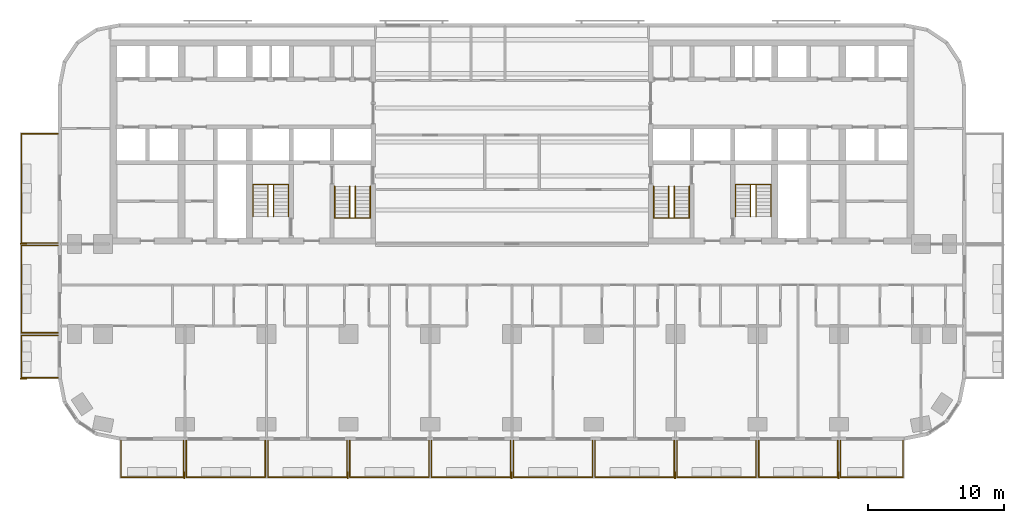
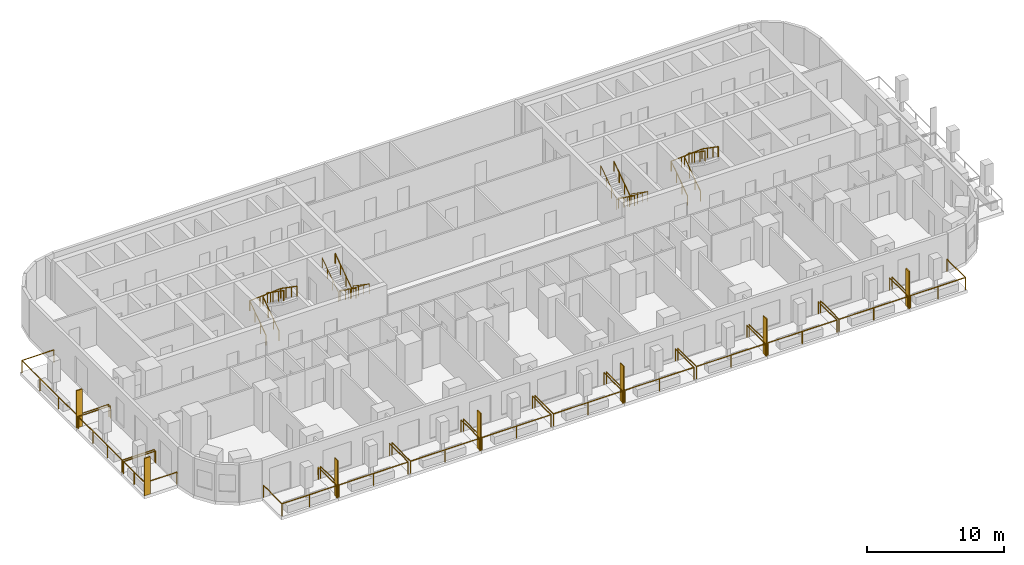
# One storey, part 13 of 15: 21 railings, 7 shading devices.
"""IFC4 building model written with IfcOpenShell, lengths in metres."""

from ifc_helpers import new_model, si_unit, direction, frame, origin, origin_2d, place, context, subcontext, project, spatial, rectangle, circle, extrude, material, layer, layer_set, type_object, element, save


model = new_model("IFC4")

# Units and contexts
model_context = context("Model", 3, precision=1e-05, world=origin(), true_north=direction((0.0, 1.0)))
body_context = subcontext(model_context, "Body", "Model", "MODEL_VIEW")
ifc_project = project(units=[si_unit("LENGTHUNIT", "METRE"), si_unit("AREAUNIT", "SQUARE_METRE"), si_unit("VOLUMEUNIT", "CUBIC_METRE"), si_unit("PLANEANGLEUNIT", "RADIAN"), si_unit("MASSUNIT", "GRAM", prefix="KILO")], contexts=[model_context])

# Site, building, storey
site_placement = place(None, origin())
site = spatial("IfcSite", under=ifc_project, at=site_placement, CompositionType="ELEMENT")
building_placement = place(site_placement, origin())
building = spatial("IfcBuilding", under=site, at=building_placement, Name="Torana Hotel and Residences", CompositionType="ELEMENT")
storey_placement = place(building_placement, frame((0.0, 0.0, 70.800048828125)))
storey = spatial("IfcBuildingStorey", under=building, at=storey_placement, Name="L17", CompositionType="ELEMENT", Elevation=70.800048828125)

# Shading devices
ifc_material_1 = material(Name="Black powder coated aluminium", Category="aluminium")
ifc_layer = layer(ifc_material_1, 0.080078125)
ifc_layer_set = layer_set([ifc_layer], Name="FN1 VERTICAL FIN 500x80")
shading_device_type = type_object("IfcShadingDeviceType", Name="FN1 VERTICAL FIN 500x80", PredefinedType="USERDEFINED", material=ifc_layer_set)
for number, where, z_axis, x_axis, name in (
    (1, (-24.0400390625, -31.949951171875, 0.0), (0.0, 0.0, 1.0), (-1.0, 0.0, 0.0), "Fin 01"),
    (2, (-12.0400390625, -31.949951171875, 0.0), (0.0, 0.0, 1.0), (-1.0, 0.0, 0.0), "Fin 03"),
    (3, (-0.0400390625, -31.949951171875, 0.0), (0.0, 0.0, 1.0), (-1.0, 0.0, 0.0), "Fin 05"),
    (4, (11.9599609375, -31.949951171875, 0.0), (0.0, 0.0, 1.0), (-1.0, 0.0, 0.0), "Fin 07"),
    (5, (23.9599609375, -31.949951171875, 0.0), (0.0, 0.0, 1.0), (-1.0, 0.0, 0.0), "Fin 09"),
    (6, (-35.85009765625, -24.860107421875, 0.0), (0.0, 0.0, 1.0), (0.0, 1.0, 0.0), "Fin 11"),
    (7, (-35.85009765625, -14.9599609375, 0.0), (0.0, 0.0, 1.0), (0.0, 1.0, 0.0), "Fin 13"),
):
    element("IfcShadingDevice", number, at=place(storey_placement, frame(where, z_axis=z_axis, x_axis=x_axis)), inside=storey, type_object=shading_device_type, Name=name, ObjectType="FIN", PredefinedType="USERDEFINED", context=body_context, shape_type="SweptSolid", body=[
        extrude(rectangle(XDim=0.080078125, YDim=0.5, at=origin_2d()), origin(), (0.0, 0.0, 1.0), 3.320068359375),
    ])

# Railings
ifc_material_2 = material(Name="Laminated glass balustrade with black handrail", Category="glass")
railing_type_1 = type_object("IfcRailingType", Name="GR1 BALCONY GUARD 1100 GLASS", PredefinedType="GUARDRAIL", material=ifc_material_2)
railing_1_placement = place(storey_placement, frame((-24.10009765625, -29.39990234375, 0.0)))
element("IfcRailing", 8, at=railing_1_placement, inside=storey, type_object=railing_type_1, Name="Balcony guard 01", PredefinedType="GUARDRAIL", context=body_context, shape_type="SweptSolid", body=[
    extrude(circle(Radius=0.02392578125, at=origin_2d()), frame((0.0, 0.0, 1.076171875), z_axis=(0.0, -1.0, 0.0), x_axis=(1.0, 0.0, 0.0)), (0.0, 0.0, 1.0), 2.7001953125),
    extrude(circle(Radius=0.02392578125, at=origin_2d()), frame((0.0, -2.7001953125, 1.076171875), z_axis=(-1.0, 0.0, 0.0), x_axis=(0.0, -1.0, 0.0)), (0.0, 0.0, 1.0), 4.599853515625),
    extrude(circle(Radius=0.02392578125, at=origin_2d()), frame((-4.599853515625, -2.7001953125, 1.076171875), z_axis=(0.0, 1.0, 0.0), x_axis=(-1.0, 0.0, 0.0)), (0.0, 0.0, 1.0), 2.7001953125),
    extrude(circle(Radius=0.02099609375, at=origin_2d()), origin(), (0.0, 0.0, 1.0), 1.052001953125),
    extrude(circle(Radius=0.02099609375, at=origin_2d()), frame((0.0, -2.7001953125, 0.0)), (0.0, 0.0, 1.0), 1.052001953125),
    extrude(circle(Radius=0.02099609375, at=origin_2d()), frame((-2.2998046875, -2.7001953125, 0.0)), (0.0, 0.0, 1.0), 1.052001953125),
    extrude(circle(Radius=0.02099609375, at=origin_2d()), frame((-4.599853515625, -2.7001953125, 0.0)), (0.0, 0.0, 1.0), 1.052001953125),
    extrude(circle(Radius=0.02099609375, at=origin_2d()), frame((-4.599853515625, 0.0, 0.0)), (0.0, 0.0, 1.0), 1.052001953125),
])
for number, where, name in (
    (9, (-18.10009765625, -29.39990234375, 0.0), "Balcony guard 02"),
    (10, (-12.10009765625, -29.39990234375, 0.0), "Balcony guard 03"),
    (11, (-6.10009765625, -29.39990234375, 0.0), "Balcony guard 04"),
    (12, (-0.10009765625, -29.39990234375, 0.0), "Balcony guard 05"),
    (13, (5.89990234375, -29.39990234375, 0.0), "Balcony guard 06"),
    (14, (11.89990234375, -29.39990234375, 0.0), "Balcony guard 07"),
    (15, (17.89990234375, -29.39990234375, 0.0), "Balcony guard 08"),
    (16, (23.89990234375, -29.39990234375, 0.0), "Balcony guard 09"),
):
    element("IfcRailing", number, at=place(storey_placement, frame(where)), inside=storey, type_object=railing_type_1, Name=name, PredefinedType="GUARDRAIL", context=body_context, shape_type="SweptSolid", body=[
        extrude(circle(Radius=0.02392578125, at=origin_2d()), frame((0.0, 0.0, 1.076171875), z_axis=(0.0, -1.0, 0.0), x_axis=(1.0, 0.0, 0.0)), (0.0, 0.0, 1.0), 2.7001953125),
        extrude(circle(Radius=0.02392578125, at=origin_2d()), frame((0.0, -2.7001953125, 1.076171875), z_axis=(-1.0, 0.0, 0.0), x_axis=(0.0, -1.0, 0.0)), (0.0, 0.0, 1.0), 5.7998046875),
        extrude(circle(Radius=0.02392578125, at=origin_2d()), frame((-5.7998046875, -2.7001953125, 1.076171875), z_axis=(0.0, 1.0, 0.0), x_axis=(-1.0, 0.0, 0.0)), (0.0, 0.0, 1.0), 2.7001953125),
        extrude(circle(Radius=0.02099609375, at=origin_2d()), origin(), (0.0, 0.0, 1.0), 1.052001953125),
        extrude(circle(Radius=0.02099609375, at=origin_2d()), frame((0.0, -2.7001953125, 0.0)), (0.0, 0.0, 1.0), 1.052001953125),
        extrude(circle(Radius=0.02099609375, at=origin_2d()), frame((-2.89990234375, -2.7001953125, 0.0)), (0.0, 0.0, 1.0), 1.052001953125),
        extrude(circle(Radius=0.02099609375, at=origin_2d()), frame((-5.7998046875, -2.7001953125, 0.0)), (0.0, 0.0, 1.0), 1.052001953125),
        extrude(circle(Radius=0.02099609375, at=origin_2d()), frame((-5.7998046875, 0.0, 0.0)), (0.0, 0.0, 1.0), 1.052001953125),
    ])
railing_2_placement = place(storey_placement, frame((28.699951171875, -29.39990234375, 0.0)))
element("IfcRailing", 17, at=railing_2_placement, inside=storey, type_object=railing_type_1, Name="Balcony guard 10", PredefinedType="GUARDRAIL", context=body_context, shape_type="SweptSolid", body=[
    extrude(circle(Radius=0.02392578125, at=origin_2d()), frame((0.0, 0.0, 1.076171875), z_axis=(0.0, -1.0, 0.0), x_axis=(1.0, 0.0, 0.0)), (0.0, 0.0, 1.0), 2.7001953125),
    extrude(circle(Radius=0.02392578125, at=origin_2d()), frame((0.0, -2.7001953125, 1.076171875), z_axis=(-1.0, 0.0, 0.0), x_axis=(0.0, -1.0, 0.0)), (0.0, 0.0, 1.0), 4.599853515625),
    extrude(circle(Radius=0.02392578125, at=origin_2d()), frame((-4.599853515625, -2.7001953125, 1.076171875), z_axis=(0.0, 1.0, 0.0), x_axis=(-1.0, 0.0, 0.0)), (0.0, 0.0, 1.0), 2.7001953125),
    extrude(circle(Radius=0.02099609375, at=origin_2d()), origin(), (0.0, 0.0, 1.0), 1.052001953125),
    extrude(circle(Radius=0.02099609375, at=origin_2d()), frame((0.0, -2.7001953125, 0.0)), (0.0, 0.0, 1.0), 1.052001953125),
    extrude(circle(Radius=0.02099609375, at=origin_2d()), frame((-2.2998046875, -2.7001953125, 0.0)), (0.0, 0.0, 1.0), 1.052001953125),
    extrude(circle(Radius=0.02099609375, at=origin_2d()), frame((-4.599853515625, -2.7001953125, 0.0)), (0.0, 0.0, 1.0), 1.052001953125),
    extrude(circle(Radius=0.02099609375, at=origin_2d()), frame((-4.599853515625, 0.0, 0.0)), (0.0, 0.0, 1.0), 1.052001953125),
])
railing_3_placement = place(storey_placement, frame((-33.300048828125, -24.800048828125, 0.0)))
element("IfcRailing", 18, at=railing_3_placement, inside=storey, type_object=railing_type_1, Name="Balcony guard 11", PredefinedType="GUARDRAIL", context=body_context, shape_type="SweptSolid", body=[
    extrude(circle(Radius=0.02392578125, at=origin_2d()), frame((0.0, 0.0, 1.076171875), z_axis=(-1.0, 0.0, 0.0), x_axis=(0.0, -1.0, 0.0)), (0.0, 0.0, 1.0), 2.699951171875),
    extrude(circle(Radius=0.02392578125, at=origin_2d()), frame((-2.699951171875, 0.0, 1.076171875), z_axis=(0.0, 1.0, 0.0), x_axis=(-1.0, 0.0, 0.0)), (0.0, 0.0, 1.0), 3.10009765625),
    extrude(circle(Radius=0.02392578125, at=origin_2d()), frame((-2.699951171875, 3.10009765625, 1.076171875), z_axis=(1.0, 0.0, 0.0), x_axis=(0.0, 1.0, 0.0)), (0.0, 0.0, 1.0), 2.699951171875),
    extrude(circle(Radius=0.02099609375, at=origin_2d()), origin(), (0.0, 0.0, 1.0), 1.052001953125),
    extrude(circle(Radius=0.02099609375, at=origin_2d()), frame((-2.699951171875, 0.0, 0.0)), (0.0, 0.0, 1.0), 1.052001953125),
    extrude(circle(Radius=0.02099609375, at=origin_2d()), frame((-2.699951171875, 1.550048828125, 0.0)), (0.0, 0.0, 1.0), 1.052001953125),
    extrude(circle(Radius=0.02099609375, at=origin_2d()), frame((-2.699951171875, 3.10009765625, 0.0)), (0.0, 0.0, 1.0), 1.052001953125),
    extrude(circle(Radius=0.02099609375, at=origin_2d()), frame((0.0, 3.10009765625, 0.0)), (0.0, 0.0, 1.0), 1.052001953125),
])
railing_4_placement = place(storey_placement, frame((-33.300048828125, -21.5, 0.0)))
element("IfcRailing", 19, at=railing_4_placement, inside=storey, type_object=railing_type_1, Name="Balcony guard 12", PredefinedType="GUARDRAIL", context=body_context, shape_type="SweptSolid", body=[
    extrude(circle(Radius=0.02392578125, at=origin_2d()), frame((0.0, 0.0, 1.076171875), z_axis=(-1.0, 0.0, 0.0), x_axis=(0.0, -1.0, 0.0)), (0.0, 0.0, 1.0), 2.699951171875),
    extrude(circle(Radius=0.02392578125, at=origin_2d()), frame((-2.699951171875, 0.0, 1.076171875), z_axis=(0.0, 1.0, 0.0), x_axis=(-1.0, 0.0, 0.0)), (0.0, 0.0, 1.0), 6.39990234375),
    extrude(circle(Radius=0.02392578125, at=origin_2d()), frame((-2.699951171875, 6.39990234375, 1.076171875), z_axis=(1.0, 0.0, 0.0), x_axis=(0.0, 1.0, 0.0)), (0.0, 0.0, 1.0), 2.699951171875),
    extrude(circle(Radius=0.02099609375, at=origin_2d()), origin(), (0.0, 0.0, 1.0), 1.052001953125),
    extrude(circle(Radius=0.02099609375, at=origin_2d()), frame((-2.699951171875, 0.0, 0.0)), (0.0, 0.0, 1.0), 1.052001953125),
    extrude(circle(Radius=0.02099609375, at=origin_2d()), frame((-2.699951171875, 2.13330078125, 0.0)), (0.0, 0.0, 1.0), 1.052001953125),
    extrude(circle(Radius=0.02099609375, at=origin_2d()), frame((-2.699951171875, 4.2666015625, 0.0)), (0.0, 0.0, 1.0), 1.052001953125),
    extrude(circle(Radius=0.02099609375, at=origin_2d()), frame((-2.699951171875, 6.39990234375, 0.0)), (0.0, 0.0, 1.0), 1.052001953125),
    extrude(circle(Radius=0.02099609375, at=origin_2d()), frame((0.0, 6.39990234375, 0.0)), (0.0, 0.0, 1.0), 1.052001953125),
])
railing_5_placement = place(storey_placement, frame((-33.300048828125, -14.89990234375, 0.0)))
element("IfcRailing", 20, at=railing_5_placement, inside=storey, type_object=railing_type_1, Name="Balcony guard 13", PredefinedType="GUARDRAIL", context=body_context, shape_type="SweptSolid", body=[
    extrude(circle(Radius=0.02392578125, at=origin_2d()), frame((0.0, 0.0, 1.076171875), z_axis=(-1.0, 0.0, 0.0), x_axis=(0.0, -1.0, 0.0)), (0.0, 0.0, 1.0), 2.699951171875),
    extrude(circle(Radius=0.02392578125, at=origin_2d()), frame((-2.699951171875, 0.0, 1.076171875), z_axis=(0.0, 1.0, 0.0), x_axis=(-1.0, 0.0, 0.0)), (0.0, 0.0, 1.0), 8.0),
    extrude(circle(Radius=0.02392578125, at=origin_2d()), frame((-2.699951171875, 8.0, 1.076171875), z_axis=(1.0, 0.0, 0.0), x_axis=(0.0, 1.0, 0.0)), (0.0, 0.0, 1.0), 2.699951171875),
    extrude(circle(Radius=0.02099609375, at=origin_2d()), origin(), (0.0, 0.0, 1.0), 1.052001953125),
    extrude(circle(Radius=0.02099609375, at=origin_2d()), frame((-2.699951171875, 0.0, 0.0)), (0.0, 0.0, 1.0), 1.052001953125),
    extrude(circle(Radius=0.02099609375, at=origin_2d()), frame((-2.699951171875, 2.666748046875, 0.0)), (0.0, 0.0, 1.0), 1.052001953125),
    extrude(circle(Radius=0.02099609375, at=origin_2d()), frame((-2.699951171875, 5.333251953125, 0.0)), (0.0, 0.0, 1.0), 1.052001953125),
    extrude(circle(Radius=0.02099609375, at=origin_2d()), frame((-2.699951171875, 8.0, 0.0)), (0.0, 0.0, 1.0), 1.052001953125),
    extrude(circle(Radius=0.02099609375, at=origin_2d()), frame((0.0, 8.0, 0.0)), (0.0, 0.0, 1.0), 1.052001953125),
])
ifc_material_3 = material(Name="Stainless steel 316", Category="steel")
railing_type_2 = type_object("IfcRailingType", Name="STAIR HANDRAIL HR1 900", PredefinedType="HANDRAIL", material=ifc_material_3)
railing_6_placement = place(storey_placement, frame((-10.39990234375, -10.75, 0.179931640625)))
element("IfcRailing", 21, at=railing_6_placement, inside=storey, type_object=railing_type_2, Name="Handrail ST1 L17 O1", PredefinedType="HANDRAIL", context=body_context, shape_type="SweptSolid", body=[
    extrude(circle(Radius=0.02392578125, at=origin_2d()), frame((0.0, 0.0, 0.8759765625), z_axis=(0.0, -0.822182927502, 0.569223360136), x_axis=(1.0, 0.0, 0.0)), (0.0, 0.0, 1.0), 2.84619140625),
    extrude(circle(Radius=0.02392578125, at=origin_2d()), frame((0.0, -2.340087890625, 2.49609375), z_axis=(-0.997614115953, 0.0, 0.069036770278), x_axis=(0.0, -1.0, 0.0)), (0.0, 0.0, 1.0), 2.606201171875),
    extrude(circle(Radius=0.02392578125, at=origin_2d()), frame((-2.60009765625, -2.340087890625, 2.67578125), z_axis=(0.0, 0.822223072051, 0.569165371211), x_axis=(-1.0, 0.0, 0.0)), (0.0, 0.0, 1.0), 2.845947265625),
    extrude(circle(Radius=0.02099609375, at=origin_2d()), origin(), (0.0, 0.0, 1.0), 0.851806640625),
    extrude(circle(Radius=0.02099609375, at=origin_2d()), frame((0.0, -0.780029296875, 0.5400390625)), (0.0, 0.0, 1.0), 0.851806640625),
    extrude(circle(Radius=0.02099609375, at=origin_2d()), frame((0.0, -1.56005859375, 1.080078125)), (0.0, 0.0, 1.0), 0.851806640625),
    extrude(circle(Radius=0.02099609375, at=origin_2d()), frame((0.0, -2.340087890625, 1.6201171875)), (0.0, 0.0, 1.0), 0.851806640625),
    extrude(circle(Radius=0.02099609375, at=origin_2d()), frame((-0.86669921875, -2.340087890625, 1.68017578125)), (0.0, 0.0, 1.0), 0.851806640625),
    extrude(circle(Radius=0.02099609375, at=origin_2d()), frame((-1.7333984375, -2.340087890625, 1.739990234375)), (0.0, 0.0, 1.0), 0.851806640625),
    extrude(circle(Radius=0.02099609375, at=origin_2d()), frame((-2.60009765625, -2.340087890625, 1.800048828125)), (0.0, 0.0, 1.0), 0.851806640625),
    extrude(circle(Radius=0.02099609375, at=origin_2d()), frame((-2.60009765625, -1.56005859375, 2.340087890625)), (0.0, 0.0, 1.0), 0.851806640625),
    extrude(circle(Radius=0.02099609375, at=origin_2d()), frame((-2.60009765625, -0.780029296875, 2.8798828125)), (0.0, 0.0, 1.0), 0.851806640625),
    extrude(circle(Radius=0.02099609375, at=origin_2d()), frame((-2.60009765625, 0.0, 3.419921875)), (0.0, 0.0, 1.0), 0.851806640625),
])
railing_7_placement = place(storey_placement, frame((-11.5, -10.75, 0.179931640625)))
element("IfcRailing", 22, at=railing_7_placement, inside=storey, type_object=railing_type_2, Name="Handrail ST1 L17 I1", PredefinedType="HANDRAIL", context=body_context, shape_type="SweptSolid", body=[
    extrude(circle(Radius=0.02392578125, at=origin_2d()), frame((0.0, 0.0, 0.8759765625), z_axis=(0.0, -0.822182927502, 0.569223360136), x_axis=(1.0, 0.0, 0.0)), (0.0, 0.0, 1.0), 2.84619140625),
    extrude(circle(Radius=0.02392578125, at=origin_2d()), frame((0.0, -2.340087890625, 2.49609375), z_axis=(-0.911942338396, 0.0, 0.410318378143), x_axis=(0.0, -1.0, 0.0)), (0.0, 0.0, 1.0), 0.4384765625),
    extrude(circle(Radius=0.02392578125, at=origin_2d()), frame((-0.39990234375, -2.340087890625, 2.67578125), z_axis=(0.0, 0.822223072051, 0.569165371211), x_axis=(-1.0, 0.0, 0.0)), (0.0, 0.0, 1.0), 2.845947265625),
    extrude(circle(Radius=0.02099609375, at=origin_2d()), origin(), (0.0, 0.0, 1.0), 0.851806640625),
    extrude(circle(Radius=0.02099609375, at=origin_2d()), frame((0.0, -0.780029296875, 0.5400390625)), (0.0, 0.0, 1.0), 0.851806640625),
    extrude(circle(Radius=0.02099609375, at=origin_2d()), frame((0.0, -1.56005859375, 1.080078125)), (0.0, 0.0, 1.0), 0.851806640625),
    extrude(circle(Radius=0.02099609375, at=origin_2d()), frame((0.0, -2.340087890625, 1.6201171875)), (0.0, 0.0, 1.0), 0.851806640625),
    extrude(circle(Radius=0.02099609375, at=origin_2d()), frame((-0.39990234375, -2.340087890625, 1.800048828125)), (0.0, 0.0, 1.0), 0.851806640625),
    extrude(circle(Radius=0.02099609375, at=origin_2d()), frame((-0.39990234375, -1.56005859375, 2.340087890625)), (0.0, 0.0, 1.0), 0.851806640625),
    extrude(circle(Radius=0.02099609375, at=origin_2d()), frame((-0.39990234375, -0.780029296875, 2.8798828125)), (0.0, 0.0, 1.0), 0.851806640625),
    extrude(circle(Radius=0.02099609375, at=origin_2d()), frame((-0.39990234375, 0.0, 3.419921875)), (0.0, 0.0, 1.0), 0.851806640625),
])
railing_8_placement = place(storey_placement, frame((-19.0, -12.949951171875, 0.179931640625)))
element("IfcRailing", 23, at=railing_8_placement, inside=storey, type_object=railing_type_2, Name="Handrail ST2 L17 O1", PredefinedType="HANDRAIL", context=body_context, shape_type="SweptSolid", body=[
    extrude(circle(Radius=0.02392578125, at=origin_2d()), frame((0.0, 0.0, 0.8759765625), z_axis=(0.0, 0.822155131156, 0.569263506923), x_axis=(-1.0, 0.0, 0.0)), (0.0, 0.0, 1.0), 2.845947265625),
    extrude(circle(Radius=0.02392578125, at=origin_2d()), frame((0.0, 2.33984375, 2.49609375), z_axis=(0.997614115953, 0.0, 0.069036770278), x_axis=(0.0, 1.0, 0.0)), (0.0, 0.0, 1.0), 2.606201171875),
    extrude(circle(Radius=0.02392578125, at=origin_2d()), frame((2.60009765625, 2.33984375, 2.67578125), z_axis=(0.0, -0.822195280011, 0.569205517829), x_axis=(1.0, 0.0, 0.0)), (0.0, 0.0, 1.0), 2.845947265625),
    extrude(circle(Radius=0.02099609375, at=origin_2d()), origin(), (0.0, 0.0, 1.0), 0.851806640625),
    extrude(circle(Radius=0.02099609375, at=origin_2d()), frame((0.0, 0.780029296875, 0.5400390625)), (0.0, 0.0, 1.0), 0.851806640625),
    extrude(circle(Radius=0.02099609375, at=origin_2d()), frame((0.0, 1.559814453125, 1.080078125)), (0.0, 0.0, 1.0), 0.851806640625),
    extrude(circle(Radius=0.02099609375, at=origin_2d()), frame((0.0, 2.33984375, 1.6201171875)), (0.0, 0.0, 1.0), 0.851806640625),
    extrude(circle(Radius=0.02099609375, at=origin_2d()), frame((0.86669921875, 2.33984375, 1.68017578125)), (0.0, 0.0, 1.0), 0.851806640625),
    extrude(circle(Radius=0.02099609375, at=origin_2d()), frame((1.7333984375, 2.33984375, 1.739990234375)), (0.0, 0.0, 1.0), 0.851806640625),
    extrude(circle(Radius=0.02099609375, at=origin_2d()), frame((2.60009765625, 2.33984375, 1.800048828125)), (0.0, 0.0, 1.0), 0.851806640625),
    extrude(circle(Radius=0.02099609375, at=origin_2d()), frame((2.60009765625, 1.559814453125, 2.340087890625)), (0.0, 0.0, 1.0), 0.851806640625),
    extrude(circle(Radius=0.02099609375, at=origin_2d()), frame((2.60009765625, 0.780029296875, 2.8798828125)), (0.0, 0.0, 1.0), 0.851806640625),
    extrude(circle(Radius=0.02099609375, at=origin_2d()), frame((2.60009765625, 0.0, 3.419921875)), (0.0, 0.0, 1.0), 0.851806640625),
])
railing_9_placement = place(storey_placement, frame((-17.89990234375, -12.949951171875, 0.179931640625)))
element("IfcRailing", 24, at=railing_9_placement, inside=storey, type_object=railing_type_2, Name="Handrail ST2 L17 I1", PredefinedType="HANDRAIL", context=body_context, shape_type="SweptSolid", body=[
    extrude(circle(Radius=0.02392578125, at=origin_2d()), frame((0.0, 0.0, 0.8759765625), z_axis=(0.0, 0.822155131156, 0.569263506923), x_axis=(-1.0, 0.0, 0.0)), (0.0, 0.0, 1.0), 2.845947265625),
    extrude(circle(Radius=0.02392578125, at=origin_2d()), frame((0.0, 2.33984375, 2.49609375), z_axis=(0.911942338396, 0.0, 0.410318378143), x_axis=(0.0, 1.0, 0.0)), (0.0, 0.0, 1.0), 0.4384765625),
    extrude(circle(Radius=0.02392578125, at=origin_2d()), frame((0.39990234375, 2.33984375, 2.67578125), z_axis=(0.0, -0.822195280011, 0.569205517829), x_axis=(1.0, 0.0, 0.0)), (0.0, 0.0, 1.0), 2.845947265625),
    extrude(circle(Radius=0.02099609375, at=origin_2d()), origin(), (0.0, 0.0, 1.0), 0.851806640625),
    extrude(circle(Radius=0.02099609375, at=origin_2d()), frame((0.0, 0.780029296875, 0.5400390625)), (0.0, 0.0, 1.0), 0.851806640625),
    extrude(circle(Radius=0.02099609375, at=origin_2d()), frame((0.0, 1.559814453125, 1.080078125)), (0.0, 0.0, 1.0), 0.851806640625),
    extrude(circle(Radius=0.02099609375, at=origin_2d()), frame((0.0, 2.33984375, 1.6201171875)), (0.0, 0.0, 1.0), 0.851806640625),
    extrude(circle(Radius=0.02099609375, at=origin_2d()), frame((0.39990234375, 2.33984375, 1.800048828125)), (0.0, 0.0, 1.0), 0.851806640625),
    extrude(circle(Radius=0.02099609375, at=origin_2d()), frame((0.39990234375, 1.559814453125, 2.340087890625)), (0.0, 0.0, 1.0), 0.851806640625),
    extrude(circle(Radius=0.02099609375, at=origin_2d()), frame((0.39990234375, 0.780029296875, 2.8798828125)), (0.0, 0.0, 1.0), 0.851806640625),
    extrude(circle(Radius=0.02099609375, at=origin_2d()), frame((0.39990234375, 0.0, 3.419921875)), (0.0, 0.0, 1.0), 0.851806640625),
])
railing_10_placement = place(storey_placement, frame((13.0, -10.75, 0.179931640625)))
element("IfcRailing", 25, at=railing_10_placement, inside=storey, type_object=railing_type_2, Name="Handrail ST3 L17 O1", PredefinedType="HANDRAIL", context=body_context, shape_type="SweptSolid", body=[
    extrude(circle(Radius=0.02392578125, at=origin_2d()), frame((0.0, 0.0, 0.8759765625), z_axis=(0.0, -0.822182927502, 0.569223360136), x_axis=(1.0, 0.0, 0.0)), (0.0, 0.0, 1.0), 2.84619140625),
    extrude(circle(Radius=0.02392578125, at=origin_2d()), frame((0.0, -2.340087890625, 2.49609375), z_axis=(-0.997614115953, 0.0, 0.069036770278), x_axis=(0.0, -1.0, 0.0)), (0.0, 0.0, 1.0), 2.606201171875),
    extrude(circle(Radius=0.02392578125, at=origin_2d()), frame((-2.60009765625, -2.340087890625, 2.67578125), z_axis=(0.0, 0.822223072051, 0.569165371211), x_axis=(-1.0, 0.0, 0.0)), (0.0, 0.0, 1.0), 2.845947265625),
    extrude(circle(Radius=0.02099609375, at=origin_2d()), origin(), (0.0, 0.0, 1.0), 0.851806640625),
    extrude(circle(Radius=0.02099609375, at=origin_2d()), frame((0.0, -0.780029296875, 0.5400390625)), (0.0, 0.0, 1.0), 0.851806640625),
    extrude(circle(Radius=0.02099609375, at=origin_2d()), frame((0.0, -1.56005859375, 1.080078125)), (0.0, 0.0, 1.0), 0.851806640625),
    extrude(circle(Radius=0.02099609375, at=origin_2d()), frame((0.0, -2.340087890625, 1.6201171875)), (0.0, 0.0, 1.0), 0.851806640625),
    extrude(circle(Radius=0.02099609375, at=origin_2d()), frame((-0.86669921875, -2.340087890625, 1.68017578125)), (0.0, 0.0, 1.0), 0.851806640625),
    extrude(circle(Radius=0.02099609375, at=origin_2d()), frame((-1.7333984375, -2.340087890625, 1.739990234375)), (0.0, 0.0, 1.0), 0.851806640625),
    extrude(circle(Radius=0.02099609375, at=origin_2d()), frame((-2.60009765625, -2.340087890625, 1.800048828125)), (0.0, 0.0, 1.0), 0.851806640625),
    extrude(circle(Radius=0.02099609375, at=origin_2d()), frame((-2.60009765625, -1.56005859375, 2.340087890625)), (0.0, 0.0, 1.0), 0.851806640625),
    extrude(circle(Radius=0.02099609375, at=origin_2d()), frame((-2.60009765625, -0.780029296875, 2.8798828125)), (0.0, 0.0, 1.0), 0.851806640625),
    extrude(circle(Radius=0.02099609375, at=origin_2d()), frame((-2.60009765625, 0.0, 3.419921875)), (0.0, 0.0, 1.0), 0.851806640625),
])
railing_11_placement = place(storey_placement, frame((11.89990234375, -10.75, 0.179931640625)))
element("IfcRailing", 26, at=railing_11_placement, inside=storey, type_object=railing_type_2, Name="Handrail ST3 L17 I1", PredefinedType="HANDRAIL", context=body_context, shape_type="SweptSolid", body=[
    extrude(circle(Radius=0.02392578125, at=origin_2d()), frame((0.0, 0.0, 0.8759765625), z_axis=(0.0, -0.822182927502, 0.569223360136), x_axis=(1.0, 0.0, 0.0)), (0.0, 0.0, 1.0), 2.84619140625),
    extrude(circle(Radius=0.02392578125, at=origin_2d()), frame((0.0, -2.340087890625, 2.49609375), z_axis=(-0.911942338396, 0.0, 0.410318378143), x_axis=(0.0, -1.0, 0.0)), (0.0, 0.0, 1.0), 0.4384765625),
    extrude(circle(Radius=0.02392578125, at=origin_2d()), frame((-0.39990234375, -2.340087890625, 2.67578125), z_axis=(0.0, 0.822223072051, 0.569165371211), x_axis=(-1.0, 0.0, 0.0)), (0.0, 0.0, 1.0), 2.845947265625),
    extrude(circle(Radius=0.02099609375, at=origin_2d()), origin(), (0.0, 0.0, 1.0), 0.851806640625),
    extrude(circle(Radius=0.02099609375, at=origin_2d()), frame((0.0, -0.780029296875, 0.5400390625)), (0.0, 0.0, 1.0), 0.851806640625),
    extrude(circle(Radius=0.02099609375, at=origin_2d()), frame((0.0, -1.56005859375, 1.080078125)), (0.0, 0.0, 1.0), 0.851806640625),
    extrude(circle(Radius=0.02099609375, at=origin_2d()), frame((0.0, -2.340087890625, 1.6201171875)), (0.0, 0.0, 1.0), 0.851806640625),
    extrude(circle(Radius=0.02099609375, at=origin_2d()), frame((-0.39990234375, -2.340087890625, 1.800048828125)), (0.0, 0.0, 1.0), 0.851806640625),
    extrude(circle(Radius=0.02099609375, at=origin_2d()), frame((-0.39990234375, -1.56005859375, 2.340087890625)), (0.0, 0.0, 1.0), 0.851806640625),
    extrude(circle(Radius=0.02099609375, at=origin_2d()), frame((-0.39990234375, -0.780029296875, 2.8798828125)), (0.0, 0.0, 1.0), 0.851806640625),
    extrude(circle(Radius=0.02099609375, at=origin_2d()), frame((-0.39990234375, 0.0, 3.419921875)), (0.0, 0.0, 1.0), 0.851806640625),
])
railing_12_placement = place(storey_placement, frame((16.39990234375, -12.949951171875, 0.179931640625)))
element("IfcRailing", 27, at=railing_12_placement, inside=storey, type_object=railing_type_2, Name="Handrail ST4 L17 O1", PredefinedType="HANDRAIL", context=body_context, shape_type="SweptSolid", body=[
    extrude(circle(Radius=0.02392578125, at=origin_2d()), frame((0.0, 0.0, 0.8759765625), z_axis=(0.0, 0.822155131156, 0.569263506923), x_axis=(-1.0, 0.0, 0.0)), (0.0, 0.0, 1.0), 2.845947265625),
    extrude(circle(Radius=0.02392578125, at=origin_2d()), frame((0.0, 2.33984375, 2.49609375), z_axis=(0.997614115953, 0.0, 0.069036770278), x_axis=(0.0, 1.0, 0.0)), (0.0, 0.0, 1.0), 2.606201171875),
    extrude(circle(Radius=0.02392578125, at=origin_2d()), frame((2.60009765625, 2.33984375, 2.67578125), z_axis=(0.0, -0.822195280011, 0.569205517829), x_axis=(1.0, 0.0, 0.0)), (0.0, 0.0, 1.0), 2.845947265625),
    extrude(circle(Radius=0.02099609375, at=origin_2d()), origin(), (0.0, 0.0, 1.0), 0.851806640625),
    extrude(circle(Radius=0.02099609375, at=origin_2d()), frame((0.0, 0.780029296875, 0.5400390625)), (0.0, 0.0, 1.0), 0.851806640625),
    extrude(circle(Radius=0.02099609375, at=origin_2d()), frame((0.0, 1.559814453125, 1.080078125)), (0.0, 0.0, 1.0), 0.851806640625),
    extrude(circle(Radius=0.02099609375, at=origin_2d()), frame((0.0, 2.33984375, 1.6201171875)), (0.0, 0.0, 1.0), 0.851806640625),
    extrude(circle(Radius=0.02099609375, at=origin_2d()), frame((0.86669921875, 2.33984375, 1.68017578125)), (0.0, 0.0, 1.0), 0.851806640625),
    extrude(circle(Radius=0.02099609375, at=origin_2d()), frame((1.7333984375, 2.33984375, 1.739990234375)), (0.0, 0.0, 1.0), 0.851806640625),
    extrude(circle(Radius=0.02099609375, at=origin_2d()), frame((2.60009765625, 2.33984375, 1.800048828125)), (0.0, 0.0, 1.0), 0.851806640625),
    extrude(circle(Radius=0.02099609375, at=origin_2d()), frame((2.60009765625, 1.559814453125, 2.340087890625)), (0.0, 0.0, 1.0), 0.851806640625),
    extrude(circle(Radius=0.02099609375, at=origin_2d()), frame((2.60009765625, 0.780029296875, 2.8798828125)), (0.0, 0.0, 1.0), 0.851806640625),
    extrude(circle(Radius=0.02099609375, at=origin_2d()), frame((2.60009765625, 0.0, 3.419921875)), (0.0, 0.0, 1.0), 0.851806640625),
])
railing_13_placement = place(storey_placement, frame((17.5, -12.949951171875, 0.179931640625)))
element("IfcRailing", 28, at=railing_13_placement, inside=storey, type_object=railing_type_2, Name="Handrail ST4 L17 I1", PredefinedType="HANDRAIL", context=body_context, shape_type="SweptSolid", body=[
    extrude(circle(Radius=0.02392578125, at=origin_2d()), frame((0.0, 0.0, 0.8759765625), z_axis=(0.0, 0.822155131156, 0.569263506923), x_axis=(-1.0, 0.0, 0.0)), (0.0, 0.0, 1.0), 2.845947265625),
    extrude(circle(Radius=0.02392578125, at=origin_2d()), frame((0.0, 2.33984375, 2.49609375), z_axis=(0.911942338396, 0.0, 0.410318378143), x_axis=(0.0, 1.0, 0.0)), (0.0, 0.0, 1.0), 0.4384765625),
    extrude(circle(Radius=0.02392578125, at=origin_2d()), frame((0.39990234375, 2.33984375, 2.67578125), z_axis=(0.0, -0.822195280011, 0.569205517829), x_axis=(1.0, 0.0, 0.0)), (0.0, 0.0, 1.0), 2.845947265625),
    extrude(circle(Radius=0.02099609375, at=origin_2d()), origin(), (0.0, 0.0, 1.0), 0.851806640625),
    extrude(circle(Radius=0.02099609375, at=origin_2d()), frame((0.0, 0.780029296875, 0.5400390625)), (0.0, 0.0, 1.0), 0.851806640625),
    extrude(circle(Radius=0.02099609375, at=origin_2d()), frame((0.0, 1.559814453125, 1.080078125)), (0.0, 0.0, 1.0), 0.851806640625),
    extrude(circle(Radius=0.02099609375, at=origin_2d()), frame((0.0, 2.33984375, 1.6201171875)), (0.0, 0.0, 1.0), 0.851806640625),
    extrude(circle(Radius=0.02099609375, at=origin_2d()), frame((0.39990234375, 2.33984375, 1.800048828125)), (0.0, 0.0, 1.0), 0.851806640625),
    extrude(circle(Radius=0.02099609375, at=origin_2d()), frame((0.39990234375, 1.559814453125, 2.340087890625)), (0.0, 0.0, 1.0), 0.851806640625),
    extrude(circle(Radius=0.02099609375, at=origin_2d()), frame((0.39990234375, 0.780029296875, 2.8798828125)), (0.0, 0.0, 1.0), 0.851806640625),
    extrude(circle(Radius=0.02099609375, at=origin_2d()), frame((0.39990234375, 0.0, 3.419921875)), (0.0, 0.0, 1.0), 0.851806640625),
])

save(model, "model.ifc")
